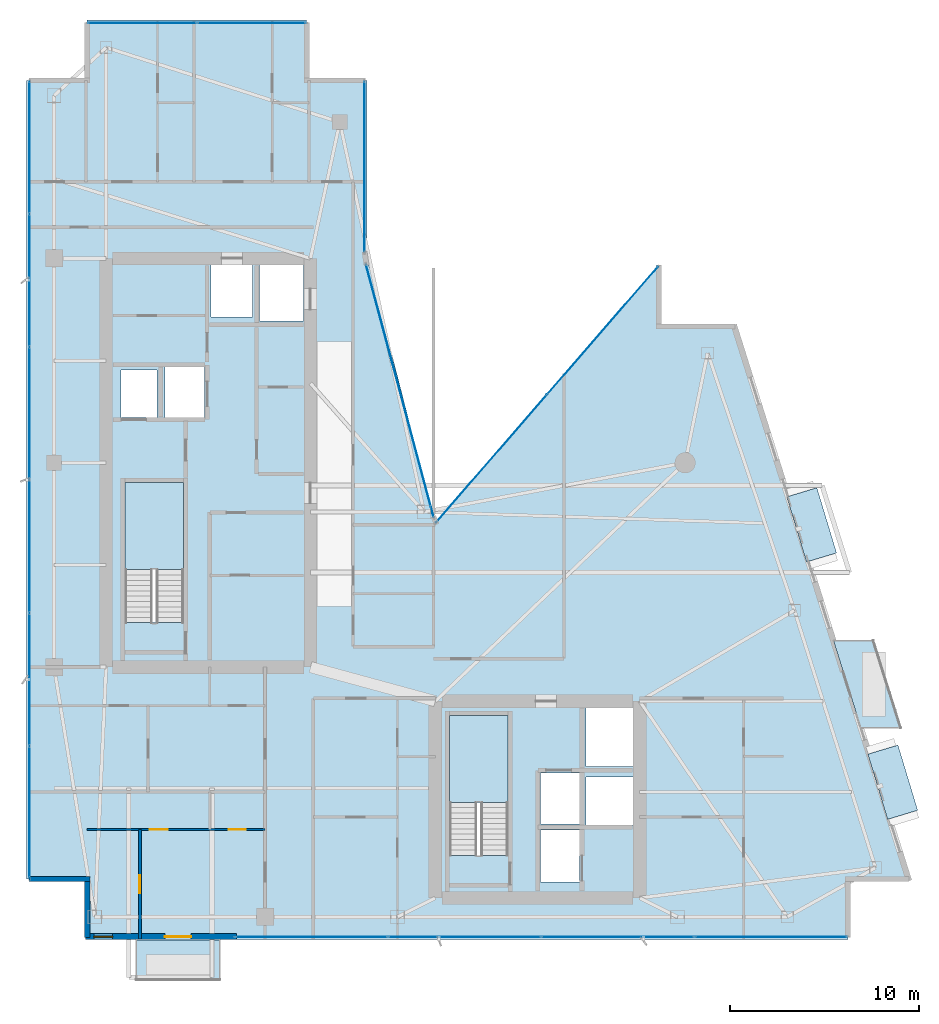
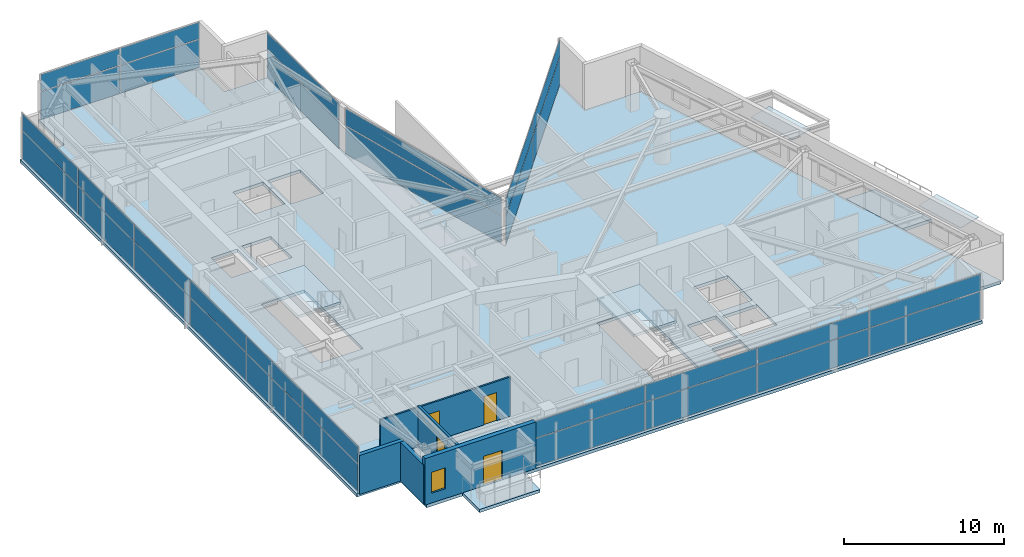
# One storey, part 23 of 29: 34 plates, 5 slabs, 5 walls, 4 doors, 1 window, 5 openings, 8 elements without a shape of their own.
"""IFC4 building model written with IfcOpenShell, lengths in metres."""

from ifc_helpers import new_model, si_unit, direction, frame, frame_2d, origin, origin_2d, place, context, subcontext, project, spatial, polyline, rectangle, outline, extrude, material, layer, layer_set, type_object, element, fill, aggregate, save


model = new_model("IFC4")

# Units and contexts
model_context = context("Model", 3, precision=1e-05, world=origin(), true_north=direction((0.0, 1.0)))
body_context = subcontext(model_context, "Body", "Model", "MODEL_VIEW")
ifc_project = project(units=[si_unit("LENGTHUNIT", "METRE"), si_unit("AREAUNIT", "SQUARE_METRE"), si_unit("VOLUMEUNIT", "CUBIC_METRE"), si_unit("PLANEANGLEUNIT", "RADIAN"), si_unit("MASSUNIT", "GRAM", prefix="KILO")], contexts=[model_context])

# Site, building, storey
site_placement = place(None, origin())
site = spatial("IfcSite", under=ifc_project, at=site_placement, CompositionType="ELEMENT")
building_placement = place(site_placement, origin())
building = spatial("IfcBuilding", under=site, at=building_placement, Name="Calvorn Quay Hotel", CompositionType="ELEMENT")
storey_placement = place(building_placement, frame((0.0, 0.0, 251.39990234375)))
storey = spatial("IfcBuildingStorey", under=building, at=storey_placement, Name="L62", CompositionType="ELEMENT", Elevation=251.39990234375)

# Curtain wall, plates
ifc_material_1 = material(Name="Champagne Bronze Anodised Aluminium and Low-E Glass", Category="aluminium")
ifc_layer_1 = layer(ifc_material_1, 0.219970703125)
ifc_layer_set_1 = layer_set([ifc_layer_1], Name="CW-SYS-Z4")
curtain_wall_type = type_object("IfcCurtainWallType", Name="CW-SYS-Z4", PredefinedType="NOTDEFINED", material=ifc_layer_set_1)
curtain_wall_1_placement = place(storey_placement, origin())
curtain_wall_1 = element("IfcCurtainWall", 1, at=curtain_wall_1_placement, inside=storey, type_object=curtain_wall_type, Name="Tower West Curtain Wall (L62)", PredefinedType="NOTDEFINED")
ifc_material_2 = material(Name="Low-E Laminated Double Glazing", Category="glass")
ifc_layer_2 = layer(ifc_material_2, 0.028076171875)
ifc_layer_set_2 = layer_set([ifc_layer_2], Name="CW-SYS-Z4-PAN")
plate_type_1 = type_object("IfcPlateType", Name="CW-SYS-Z4-PAN", PredefinedType="CURTAIN_PANEL", material=ifc_layer_set_2)
plate_1_placement = place(storey_placement, frame((0.14990234375, 9.131591796875, 0.06005859375), z_axis=(0.0, 0.0, 1.0), x_axis=(0.0, 1.0, 0.0)))
plate_1 = element("IfcPlate", 2, at=plate_1_placement, type_object=plate_type_1, Name="CW-L62-W panel 1.1", PredefinedType="CURTAIN_PANEL", context=body_context, shape_type="SweptSolid", body=[
    extrude(rectangle(XDim=6.943359375, YDim=0.028076171875, at=origin_2d()), origin(), (0.0, 0.0, 1.0), 2.110107421875),
])
plate_2_placement = place(storey_placement, frame((0.14990234375, 9.131591796875, 2.22998046875), z_axis=(0.0, 0.0, 1.0), x_axis=(0.0, 1.0, 0.0)))
plate_2 = element("IfcPlate", 3, at=plate_2_placement, type_object=plate_type_1, Name="CW-L62-W panel 1.2", PredefinedType="CURTAIN_PANEL", context=body_context, shape_type="SweptSolid", body=[
    extrude(rectangle(XDim=6.943359375, YDim=0.028076171875, at=origin_2d()), origin(), (0.0, 0.0, 1.0), 1.27001953125),
])
plate_3_placement = place(storey_placement, frame((0.14990234375, 16.14990234375, 0.06005859375), z_axis=(0.0, 0.0, 1.0), x_axis=(0.0, 1.0, 0.0)))
plate_3 = element("IfcPlate", 4, at=plate_3_placement, type_object=plate_type_1, Name="CW-L62-W panel 2.1", PredefinedType="CURTAIN_PANEL", context=body_context, shape_type="SweptSolid", body=[
    extrude(rectangle(XDim=6.973388671875, YDim=0.028076171875, at=origin_2d()), origin(), (0.0, 0.0, 1.0), 2.110107421875),
])
plate_4_placement = place(storey_placement, frame((0.14990234375, 16.14990234375, 2.22998046875), z_axis=(0.0, 0.0, 1.0), x_axis=(0.0, 1.0, 0.0)))
plate_4 = element("IfcPlate", 5, at=plate_4_placement, type_object=plate_type_1, Name="CW-L62-W panel 2.2", PredefinedType="CURTAIN_PANEL", context=body_context, shape_type="SweptSolid", body=[
    extrude(rectangle(XDim=6.973388671875, YDim=0.028076171875, at=origin_2d()), origin(), (0.0, 0.0, 1.0), 1.27001953125),
])
plate_5_placement = place(storey_placement, frame((0.14990234375, 23.183349609375, 0.06005859375), z_axis=(0.0, 0.0, 1.0), x_axis=(0.0, 1.0, 0.0)))
plate_5 = element("IfcPlate", 6, at=plate_5_placement, type_object=plate_type_1, Name="CW-L62-W panel 3.1", PredefinedType="CURTAIN_PANEL", context=body_context, shape_type="SweptSolid", body=[
    extrude(rectangle(XDim=6.973388671875, YDim=0.028076171875, at=origin_2d()), origin(), (0.0, 0.0, 1.0), 2.110107421875),
])
plate_6_placement = place(storey_placement, frame((0.14990234375, 23.183349609375, 2.22998046875), z_axis=(0.0, 0.0, 1.0), x_axis=(0.0, 1.0, 0.0)))
plate_6 = element("IfcPlate", 7, at=plate_6_placement, type_object=plate_type_1, Name="CW-L62-W panel 3.2", PredefinedType="CURTAIN_PANEL", context=body_context, shape_type="SweptSolid", body=[
    extrude(rectangle(XDim=6.973388671875, YDim=0.028076171875, at=origin_2d()), origin(), (0.0, 0.0, 1.0), 1.27001953125),
])
plate_7_placement = place(storey_placement, frame((0.14990234375, 30.216552734375, 0.06005859375), z_axis=(0.0, 0.0, 1.0), x_axis=(0.0, 1.0, 0.0)))
plate_7 = element("IfcPlate", 8, at=plate_7_placement, type_object=plate_type_1, Name="CW-L62-W panel 4.1", PredefinedType="CURTAIN_PANEL", context=body_context, shape_type="SweptSolid", body=[
    extrude(rectangle(XDim=6.973388671875, YDim=0.028076171875, at=origin_2d()), origin(), (0.0, 0.0, 1.0), 2.110107421875),
])
plate_8_placement = place(storey_placement, frame((0.14990234375, 30.216552734375, 2.22998046875), z_axis=(0.0, 0.0, 1.0), x_axis=(0.0, 1.0, 0.0)))
plate_8 = element("IfcPlate", 9, at=plate_8_placement, type_object=plate_type_1, Name="CW-L62-W panel 4.2", PredefinedType="CURTAIN_PANEL", context=body_context, shape_type="SweptSolid", body=[
    extrude(rectangle(XDim=6.973388671875, YDim=0.028076171875, at=origin_2d()), origin(), (0.0, 0.0, 1.0), 1.27001953125),
])
plate_9_placement = place(storey_placement, frame((0.14990234375, 37.25, 0.06005859375), z_axis=(0.0, 0.0, 1.0), x_axis=(0.0, 1.0, 0.0)))
plate_9 = element("IfcPlate", 10, at=plate_9_placement, type_object=plate_type_1, Name="CW-L62-W panel 5.1", PredefinedType="CURTAIN_PANEL", context=body_context, shape_type="SweptSolid", body=[
    extrude(rectangle(XDim=6.973388671875, YDim=0.028076171875, at=origin_2d()), origin(), (0.0, 0.0, 1.0), 2.110107421875),
])
plate_10_placement = place(storey_placement, frame((0.14990234375, 37.25, 2.22998046875), z_axis=(0.0, 0.0, 1.0), x_axis=(0.0, 1.0, 0.0)))
plate_10 = element("IfcPlate", 11, at=plate_10_placement, type_object=plate_type_1, Name="CW-L62-W panel 5.2", PredefinedType="CURTAIN_PANEL", context=body_context, shape_type="SweptSolid", body=[
    extrude(rectangle(XDim=6.973388671875, YDim=0.028076171875, at=origin_2d()), origin(), (0.0, 0.0, 1.0), 1.27001953125),
])
plate_11_placement = place(storey_placement, frame((0.14990234375, 44.268310546875, 0.06005859375), z_axis=(0.0, 0.0, 1.0), x_axis=(0.0, 1.0, 0.0)))
plate_11 = element("IfcPlate", 12, at=plate_11_placement, type_object=plate_type_1, Name="CW-L62-W panel 6.1", PredefinedType="CURTAIN_PANEL", context=body_context, shape_type="SweptSolid", body=[
    extrude(rectangle(XDim=6.943359375, YDim=0.028076171875, at=origin_2d()), origin(), (0.0, 0.0, 1.0), 2.110107421875),
])
plate_12_placement = place(storey_placement, frame((0.14990234375, 44.268310546875, 2.22998046875), z_axis=(0.0, 0.0, 1.0), x_axis=(0.0, 1.0, 0.0)))
plate_12 = element("IfcPlate", 13, at=plate_12_placement, type_object=plate_type_1, Name="CW-L62-W panel 6.2", PredefinedType="CURTAIN_PANEL", context=body_context, shape_type="SweptSolid", body=[
    extrude(rectangle(XDim=6.943359375, YDim=0.028076171875, at=origin_2d()), origin(), (0.0, 0.0, 1.0), 1.27001953125),
])
aggregate(curtain_wall_1, [plate_1, plate_2, plate_3, plate_4, plate_5, plate_6, plate_7, plate_8, plate_9, plate_10, plate_11, plate_12])

curtain_wall_2_placement = place(storey_placement, origin())
curtain_wall_2 = element("IfcCurtainWall", 14, at=curtain_wall_2_placement, inside=storey, type_object=curtain_wall_type, Name="Tower South Waterfront Curtain Wall (L62)", PredefinedType="NOTDEFINED")
plate_13_placement = place(storey_placement, frame((15.06494140625, 2.550048828125, 0.06005859375), z_axis=(0.0, 0.0, 1.0), x_axis=(1.0, 0.0, 0.0)))
plate_13 = element("IfcPlate", 15, at=plate_13_placement, type_object=plate_type_1, Name="CW-L62-S panel 1.1", PredefinedType="CURTAIN_PANEL", context=body_context, shape_type="SweptSolid", body=[
    extrude(rectangle(XDim=8.010009765625, YDim=0.028076171875, at=origin_2d()), origin(), (0.0, 0.0, 1.0), 2.110107421875),
])
plate_14_placement = place(storey_placement, frame((15.06494140625, 2.550048828125, 2.22998046875), z_axis=(0.0, 0.0, 1.0), x_axis=(1.0, 0.0, 0.0)))
plate_14 = element("IfcPlate", 16, at=plate_14_placement, type_object=plate_type_1, Name="CW-L62-S panel 1.2", PredefinedType="CURTAIN_PANEL", context=body_context, shape_type="SweptSolid", body=[
    extrude(rectangle(XDim=8.010009765625, YDim=0.028076171875, at=origin_2d()), origin(), (0.0, 0.0, 1.0), 1.27001953125),
])
plate_15_placement = place(storey_placement, frame((23.14990234375, 2.550048828125, 0.06005859375), z_axis=(0.0, 0.0, 1.0), x_axis=(1.0, 0.0, 0.0)))
plate_15 = element("IfcPlate", 17, at=plate_15_placement, type_object=plate_type_1, Name="CW-L62-S panel 2.1", PredefinedType="CURTAIN_PANEL", context=body_context, shape_type="SweptSolid", body=[
    extrude(rectangle(XDim=8.0400390625, YDim=0.028076171875, at=origin_2d()), origin(), (0.0, 0.0, 1.0), 2.110107421875),
])
plate_16_placement = place(storey_placement, frame((23.14990234375, 2.550048828125, 2.22998046875), z_axis=(0.0, 0.0, 1.0), x_axis=(1.0, 0.0, 0.0)))
plate_16 = element("IfcPlate", 18, at=plate_16_placement, type_object=plate_type_1, Name="CW-L62-S panel 2.2", PredefinedType="CURTAIN_PANEL", context=body_context, shape_type="SweptSolid", body=[
    extrude(rectangle(XDim=8.0400390625, YDim=0.028076171875, at=origin_2d()), origin(), (0.0, 0.0, 1.0), 1.27001953125),
])
plate_17_placement = place(storey_placement, frame((31.25, 2.550048828125, 0.06005859375), z_axis=(0.0, 0.0, 1.0), x_axis=(1.0, 0.0, 0.0)))
plate_17 = element("IfcPlate", 19, at=plate_17_placement, type_object=plate_type_1, Name="CW-L62-S panel 3.1", PredefinedType="CURTAIN_PANEL", context=body_context, shape_type="SweptSolid", body=[
    extrude(rectangle(XDim=8.0400390625, YDim=0.028076171875, at=origin_2d()), origin(), (0.0, 0.0, 1.0), 2.110107421875),
])
plate_18_placement = place(storey_placement, frame((31.25, 2.550048828125, 2.22998046875), z_axis=(0.0, 0.0, 1.0), x_axis=(1.0, 0.0, 0.0)))
plate_18 = element("IfcPlate", 20, at=plate_18_placement, type_object=plate_type_1, Name="CW-L62-S panel 3.2", PredefinedType="CURTAIN_PANEL", context=body_context, shape_type="SweptSolid", body=[
    extrude(rectangle(XDim=8.0400390625, YDim=0.028076171875, at=origin_2d()), origin(), (0.0, 0.0, 1.0), 1.27001953125),
])
plate_19_placement = place(storey_placement, frame((39.3349609375, 2.550048828125, 0.06005859375), z_axis=(0.0, 0.0, 1.0), x_axis=(1.0, 0.0, 0.0)))
plate_19 = element("IfcPlate", 21, at=plate_19_placement, type_object=plate_type_1, Name="CW-L62-S panel 4.1", PredefinedType="CURTAIN_PANEL", context=body_context, shape_type="SweptSolid", body=[
    extrude(rectangle(XDim=8.010009765625, YDim=0.028076171875, at=origin_2d()), origin(), (0.0, 0.0, 1.0), 2.110107421875),
])
plate_20_placement = place(storey_placement, frame((39.3349609375, 2.550048828125, 2.22998046875), z_axis=(0.0, 0.0, 1.0), x_axis=(1.0, 0.0, 0.0)))
plate_20 = element("IfcPlate", 22, at=plate_20_placement, type_object=plate_type_1, Name="CW-L62-S panel 4.2", PredefinedType="CURTAIN_PANEL", context=body_context, shape_type="SweptSolid", body=[
    extrude(rectangle(XDim=8.010009765625, YDim=0.028076171875, at=origin_2d()), origin(), (0.0, 0.0, 1.0), 1.27001953125),
])
aggregate(curtain_wall_2, [plate_13, plate_14, plate_15, plate_16, plate_17, plate_18, plate_19, plate_20])

curtain_wall_3_placement = place(storey_placement, origin())
curtain_wall_3 = element("IfcCurtainWall", 23, at=curtain_wall_3_placement, inside=storey, type_object=curtain_wall_type, Name="Inner Court Curtain Wall L62-NE1", PredefinedType="NOTDEFINED")
plate_21_placement = place(storey_placement, frame((30.440185546875, 34.588623046875, 0.06005859375), z_axis=(0.0, 0.0, 1.0), x_axis=(-0.655353317216, -0.755322467304, 0.0)))
plate_21 = element("IfcPlate", 24, at=plate_21_placement, type_object=plate_type_1, Name="CW-L62-NE1 panel 1.1", PredefinedType="CURTAIN_PANEL", context=body_context, shape_type="SweptSolid", body=[
    extrude(rectangle(XDim=8.912841796875, YDim=0.028076171875, at=origin_2d()), origin(), (0.0, 0.0, 1.0), 2.110107421875),
])
plate_22_placement = place(storey_placement, frame((30.440185546875, 34.588623046875, 2.22998046875), z_axis=(0.0, 0.0, 1.0), x_axis=(-0.655353317216, -0.755322467304, 0.0)))
plate_22 = element("IfcPlate", 25, at=plate_22_placement, type_object=plate_type_1, Name="CW-L62-NE1 panel 1.2", PredefinedType="CURTAIN_PANEL", context=body_context, shape_type="SweptSolid", body=[
    extrude(rectangle(XDim=8.912841796875, YDim=0.028076171875, at=origin_2d()), origin(), (0.0, 0.0, 1.0), 1.27001953125),
])
plate_23_placement = place(storey_placement, frame((24.559814453125, 27.811279296875, 0.06005859375), z_axis=(0.0, 0.0, 1.0), x_axis=(-0.655353317216, -0.755322467304, 0.0)))
plate_23 = element("IfcPlate", 26, at=plate_23_placement, type_object=plate_type_1, Name="CW-L62-NE1 panel 2.1", PredefinedType="CURTAIN_PANEL", context=body_context, shape_type="SweptSolid", body=[
    extrude(rectangle(XDim=8.912841796875, YDim=0.028076171875, at=origin_2d()), origin(), (0.0, 0.0, 1.0), 2.110107421875),
])
plate_24_placement = place(storey_placement, frame((24.559814453125, 27.811279296875, 2.22998046875), z_axis=(0.0, 0.0, 1.0), x_axis=(-0.655353317216, -0.755322467304, 0.0)))
plate_24 = element("IfcPlate", 27, at=plate_24_placement, type_object=plate_type_1, Name="CW-L62-NE1 panel 2.2", PredefinedType="CURTAIN_PANEL", context=body_context, shape_type="SweptSolid", body=[
    extrude(rectangle(XDim=8.912841796875, YDim=0.028076171875, at=origin_2d()), origin(), (0.0, 0.0, 1.0), 1.27001953125),
])
aggregate(curtain_wall_3, [plate_21, plate_22, plate_23, plate_24])

curtain_wall_4_placement = place(storey_placement, origin())
curtain_wall_4 = element("IfcCurtainWall", 28, at=curtain_wall_4_placement, inside=storey, type_object=curtain_wall_type, Name="Inner Court Curtain Wall L62-IC1", PredefinedType="NOTDEFINED")
plate_25_placement = place(storey_placement, frame((19.72509765625, 31.39990234375, 0.06005859375), z_axis=(0.0, 0.0, 1.0), x_axis=(-0.25877913024, 0.96593652056, 0.0)))
plate_25 = element("IfcPlate", 29, at=plate_25_placement, type_object=plate_type_1, Name="CW-L62-IC1 panel 1.1", PredefinedType="CURTAIN_PANEL", context=body_context, shape_type="SweptSolid", body=[
    extrude(rectangle(XDim=13.814697265625, YDim=0.028076171875, at=origin_2d()), origin(), (0.0, 0.0, 1.0), 2.110107421875),
])
plate_26_placement = place(storey_placement, frame((19.72509765625, 31.39990234375, 2.22998046875), z_axis=(0.0, 0.0, 1.0), x_axis=(-0.25877913024, 0.96593652056, 0.0)))
plate_26 = element("IfcPlate", 30, at=plate_26_placement, type_object=plate_type_1, Name="CW-L62-IC1 panel 1.2", PredefinedType="CURTAIN_PANEL", context=body_context, shape_type="SweptSolid", body=[
    extrude(rectangle(XDim=13.814697265625, YDim=0.028076171875, at=origin_2d()), origin(), (0.0, 0.0, 1.0), 1.27001953125),
])
aggregate(curtain_wall_4, [plate_25, plate_26])

curtain_wall_5_placement = place(storey_placement, origin())
curtain_wall_5 = element("IfcCurtainWall", 31, at=curtain_wall_5_placement, inside=storey, type_object=curtain_wall_type, Name="Inner Court Curtain Wall L62-IC2", PredefinedType="NOTDEFINED")
plate_27_placement = place(storey_placement, frame((17.85009765625, 43.239990234375, 0.06005859375), z_axis=(0.0, 0.0, 1.0), x_axis=(0.0, 1.0, 0.0)))
plate_27 = element("IfcPlate", 32, at=plate_27_placement, type_object=plate_type_1, Name="CW-L62-IC2 panel 1.1", PredefinedType="CURTAIN_PANEL", context=body_context, shape_type="SweptSolid", body=[
    extrude(rectangle(XDim=9.0, YDim=0.028076171875, at=origin_2d()), origin(), (0.0, 0.0, 1.0), 2.110107421875),
])
plate_28_placement = place(storey_placement, frame((17.85009765625, 43.239990234375, 2.22998046875), z_axis=(0.0, 0.0, 1.0), x_axis=(0.0, 1.0, 0.0)))
plate_28 = element("IfcPlate", 33, at=plate_28_placement, type_object=plate_type_1, Name="CW-L62-IC2 panel 1.2", PredefinedType="CURTAIN_PANEL", context=body_context, shape_type="SweptSolid", body=[
    extrude(rectangle(XDim=9.0, YDim=0.028076171875, at=origin_2d()), origin(), (0.0, 0.0, 1.0), 1.27001953125),
])
aggregate(curtain_wall_5, [plate_27, plate_28])

curtain_wall_6_placement = place(storey_placement, origin())
curtain_wall_6 = element("IfcCurtainWall", 34, at=curtain_wall_6_placement, inside=storey, type_object=curtain_wall_type, Name="Inner Court Curtain Wall L62-N1", PredefinedType="NOTDEFINED")
plate_29_placement = place(storey_placement, frame((11.885009765625, 50.85009765625, 0.06005859375), z_axis=(0.0, 0.0, 1.0), x_axis=(-1.0, 0.0, 0.0)))
plate_29 = element("IfcPlate", 35, at=plate_29_placement, type_object=plate_type_1, Name="CW-L62-N1 panel 1.1", PredefinedType="CURTAIN_PANEL", context=body_context, shape_type="SweptSolid", body=[
    extrude(rectangle(XDim=5.7099609375, YDim=0.028076171875, at=origin_2d()), origin(), (0.0, 0.0, 1.0), 2.110107421875),
])
plate_30_placement = place(storey_placement, frame((11.885009765625, 50.85009765625, 2.22998046875), z_axis=(0.0, 0.0, 1.0), x_axis=(-1.0, 0.0, 0.0)))
plate_30 = element("IfcPlate", 36, at=plate_30_placement, type_object=plate_type_1, Name="CW-L62-N1 panel 1.2", PredefinedType="CURTAIN_PANEL", context=body_context, shape_type="SweptSolid", body=[
    extrude(rectangle(XDim=5.7099609375, YDim=0.028076171875, at=origin_2d()), origin(), (0.0, 0.0, 1.0), 1.27001953125),
])
plate_31_placement = place(storey_placement, frame((6.114990234375, 50.85009765625, 0.06005859375), z_axis=(0.0, 0.0, 1.0), x_axis=(-1.0, 0.0, 0.0)))
plate_31 = element("IfcPlate", 37, at=plate_31_placement, type_object=plate_type_1, Name="CW-L62-N1 panel 2.1", PredefinedType="CURTAIN_PANEL", context=body_context, shape_type="SweptSolid", body=[
    extrude(rectangle(XDim=5.7099609375, YDim=0.028076171875, at=origin_2d()), origin(), (0.0, 0.0, 1.0), 2.110107421875),
])
plate_32_placement = place(storey_placement, frame((6.114990234375, 50.85009765625, 2.22998046875), z_axis=(0.0, 0.0, 1.0), x_axis=(-1.0, 0.0, 0.0)))
plate_32 = element("IfcPlate", 38, at=plate_32_placement, type_object=plate_type_1, Name="CW-L62-N1 panel 2.2", PredefinedType="CURTAIN_PANEL", context=body_context, shape_type="SweptSolid", body=[
    extrude(rectangle(XDim=5.7099609375, YDim=0.028076171875, at=origin_2d()), origin(), (0.0, 0.0, 1.0), 1.27001953125),
])
aggregate(curtain_wall_6, [plate_29, plate_30, plate_31, plate_32])

# Plates
ifc_material_3 = material(Name="Tempered Laminated Low-E Glass", Category="glass")
ifc_layer_3 = layer(ifc_material_3, 0.0380859375)
ifc_layer_set_3 = layer_set([ifc_layer_3], Name="PLT-HOOD-GLAZ")
plate_type_2 = type_object("IfcPlateType", Name="PLT-HOOD-GLAZ", PredefinedType="SHEET", material=ifc_layer_set_3)
for number, where, z_axis, x_axis, name in (
    (39, (45.77490234375, 10.718017578125, 2.467041015625), (0.0, 0.0, 1.0), (0.957319497532, 0.289031796944, 0.0), "Angled Glass Bay Hood Panel L62-HOOD-1"),
    (40, (41.489013671875, 24.318115234375, 2.467041015625), (0.0, 0.0, 1.0), (0.957319497532, 0.289031796944, 0.0), "Angled Glass Bay Hood Panel L62-HOOD-3"),
):
    element("IfcPlate", number, at=place(storey_placement, frame(where, z_axis=z_axis, x_axis=x_axis)), inside=storey, type_object=plate_type_2, Name=name, PredefinedType="SHEET", context=body_context, shape_type="SweptSolid", body=[
        extrude(rectangle(XDim=1.659912109375, YDim=3.60009765625, at=origin_2d()), origin(), (0.0, 0.0, 1.0), 0.0380859375),
    ])

# Slabs
ifc_material_4 = material(Name="Concrete C40", Category="concrete")
ifc_layer_4 = layer(ifc_material_4, 0.239990234375)
ifc_layer_set_4 = layer_set([ifc_layer_4], Name="SLB-BALCONY-220")
slab_type_1 = type_object("IfcSlabType", Name="SLB-BALCONY-220", PredefinedType="FLOOR", material=ifc_layer_set_4)
slab_1_placement = place(storey_placement, frame((0.0, 0.0, -0.239990234375)))
element("IfcSlab", 41, at=slab_1_placement, inside=storey, type_object=slab_type_1, Name="Tree Balcony Slab L62-BALC-E", PredefinedType="FLOOR", context=body_context, shape_type="SweptSolid", body=[
    extrude(outline(polyline([(44.089111328125, 13.60009765625), (46.18896484375, 13.60009765625), (44.739990234375, 18.199951171875), (42.639892578125, 18.199951171875), (44.089111328125, 13.60009765625)])), origin(), (0.0, 0.0, 1.0), 0.239990234375),
])
slab_2_placement = place(storey_placement, frame((0.0, 0.0, -0.239990234375)))
element("IfcSlab", 42, at=slab_2_placement, inside=storey, type_object=slab_type_1, Name="Tree Balcony Slab L62-BALC-S", PredefinedType="FLOOR", context=body_context, shape_type="SweptSolid", body=[
    extrude(outline(polyline([(5.800048828125, 0.2900390625), (10.199951171875, 0.2900390625), (10.199951171875, 2.389892578125), (5.800048828125, 2.389892578125), (5.800048828125, 0.2900390625)])), origin(), (0.0, 0.0, 1.0), 0.239990234375),
])

# Stair, slab
ifc_material_5 = material(Name="Concrete C40", Category="concrete")
stair_type = type_object("IfcStairType", Name="STR-CORE-DOGLEG", PredefinedType="HALF_TURN_STAIR", material=ifc_material_5)
stair_1_placement = place(storey_placement, origin())
stair_1 = element("IfcStair", 43, at=stair_1_placement, inside=storey, type_object=stair_type, Name="L62 ST-W", PredefinedType="HALF_TURN_STAIR")
ifc_material_6 = material(Name="Concrete C40", Category="concrete")
ifc_layer_5 = layer(ifc_material_6, 0.199951171875)
ifc_layer_set_5 = layer_set([ifc_layer_5], Name="SLB-STAIR-LANDING-200")
slab_type_2 = type_object("IfcSlabType", Name="SLB-STAIR-LANDING-200", PredefinedType="LANDING", material=ifc_layer_set_5)
slab_3_placement = place(storey_placement, frame((0.0, 0.0, 1.7001953125)))
slab_3 = element("IfcSlab", 44, at=slab_3_placement, type_object=slab_type_2, Name="ST-W landing 1", PredefinedType="LANDING", context=body_context, shape_type="SweptSolid", body=[
    extrude(outline(polyline([(8.300048828125, 21.949951171875), (8.300048828125, 26.550048828125), (5.199951171875, 26.550048828125), (5.199951171875, 21.949951171875), (8.300048828125, 21.949951171875)])), origin(), (0.0, 0.0, 1.0), 0.199951171875),
])
aggregate(stair_1, [slab_3])

stair_2_placement = place(storey_placement, origin())
stair_2 = element("IfcStair", 45, at=stair_2_placement, inside=storey, type_object=stair_type, Name="L62 ST-E", PredefinedType="HALF_TURN_STAIR")
slab_4_placement = place(storey_placement, frame((0.0, 0.0, 1.7001953125)))
slab_4 = element("IfcSlab", 46, at=slab_4_placement, type_object=slab_type_2, Name="ST-E landing 1", PredefinedType="LANDING", context=body_context, shape_type="SweptSolid", body=[
    extrude(outline(polyline([(25.449951171875, 9.64990234375), (25.449951171875, 14.25), (22.35009765625, 14.25), (22.35009765625, 9.64990234375), (25.449951171875, 9.64990234375)])), origin(), (0.0, 0.0, 1.0), 0.199951171875),
])
aggregate(stair_2, [slab_4])

# Slab
ifc_material_7 = material(Name="Concrete C40", Category="concrete")
ifc_layer_6 = layer(ifc_material_7, 0.239990234375)
ifc_layer_set_6 = layer_set([ifc_layer_6], Name="SLB-TOWER-240")
slab_type_3 = type_object("IfcSlabType", Name="SLB-TOWER-240", PredefinedType="FLOOR", material=ifc_layer_set_6)
slab_5_placement = place(storey_placement, frame((0.0, 0.0, -0.239990234375)))
element("IfcSlab", 47, at=slab_5_placement, inside=storey, type_object=slab_type_3, Name="L62 Structural Floor Slab", PredefinedType="FLOOR", context=body_context, shape_type="SweptSolid", body=[
    extrude(outline(polyline([(0.0, 5.60009765625), (3.199951171875, 5.60009765625), (3.199951171875, 2.39990234375), (43.39990234375, 2.39990234375), (43.39990234375, 5.60009765625), (46.60009765625, 5.60009765625), (37.39990234375, 34.800048828125), (33.39990234375, 34.800048828125), (33.39990234375, 38.0), (21.60009765625, 24.39990234375), (18.0, 38.39990234375), (18.0, 47.800048828125), (14.800048828125, 47.800048828125), (14.800048828125, 51.0), (3.199951171875, 51.0), (3.199951171875, 47.800048828125), (0.0, 47.800048828125), (0.0, 5.60009765625)]), holes=[polyline([(5.199951171875, 19.156005859375), (8.300048828125, 19.156005859375), (8.300048828125, 26.550048828125), (5.199951171875, 26.550048828125), (5.199951171875, 19.156005859375)]), polyline([(22.35009765625, 6.85595703125), (25.449951171875, 6.85595703125), (25.449951171875, 14.25), (22.35009765625, 14.25), (22.35009765625, 6.85595703125)]), polyline([(5.0, 30.0), (6.89990234375, 30.0), (6.89990234375, 32.5), (5.0, 32.5), (5.0, 30.0)]), polyline([(7.300048828125, 30.0), (9.39990234375, 30.0), (9.39990234375, 32.64990234375), (7.300048828125, 32.64990234375), (7.300048828125, 30.0)]), polyline([(27.159912109375, 8.5), (29.2099609375, 8.5), (29.2099609375, 11.199951171875), (27.159912109375, 11.199951171875), (27.159912109375, 8.5)]), polyline([(27.159912109375, 5.449951171875), (29.2099609375, 5.449951171875), (29.2099609375, 8.199951171875), (27.159912109375, 8.199951171875), (27.159912109375, 5.449951171875)]), polyline([(12.300048828125, 35.10009765625), (14.639892578125, 35.10009765625), (14.639892578125, 38.0400390625), (12.300048828125, 38.0400390625), (12.300048828125, 35.10009765625)]), polyline([(9.75, 35.300048828125), (11.949951171875, 35.300048828125), (11.949951171875, 38.0400390625), (9.75, 38.0400390625), (9.75, 35.300048828125)]), polyline([(29.550048828125, 11.550048828125), (32.0400390625, 11.550048828125), (32.0400390625, 14.639892578125), (29.550048828125, 14.639892578125), (29.550048828125, 11.550048828125)]), polyline([(29.550048828125, 8.449951171875), (32.0400390625, 8.449951171875), (32.0400390625, 11.0), (29.550048828125, 11.0), (29.550048828125, 8.449951171875)])]), origin(), (0.0, 0.0, 1.0), 0.239990234375),
])

# Wall, openings, doors
ifc_material_8 = material(Name="Moisture-Resistant Tile-Backed Partition")
ifc_layer_7 = layer(ifc_material_8, 0.125)
ifc_layer_set_7 = layer_set([ifc_layer_7], Name="WL-ENSUITE-125")
wall_type_1 = type_object("IfcWallType", Name="WL-ENSUITE-125", PredefinedType="PARTITIONING", material=ifc_layer_set_7)
wall_1_placement = place(storey_placement, frame((3.199951171875, 8.219970703125, 0.0), z_axis=(0.0, 0.0, 1.0), x_axis=(1.0, 0.0, 0.0)))
wall_1 = element("IfcWall", 48, at=wall_1_placement, inside=storey, type_object=wall_type_1, Name="Partition Wall L62-WL-U01-BH", PredefinedType="PARTITIONING", context=body_context, shape_type="SweptSolid", body=[
    extrude(rectangle(XDim=9.400146484375, YDim=0.125, at=frame_2d((4.7001953125, 0.0))), origin(), (0.0, 0.0, 1.0), 2.989990234375),
])
opening_1_placement = place(wall_1_placement, frame((3.300048828125, 0.0, 0.0)))
opening_1 = element("IfcOpeningElement", 49, at=opening_1_placement, cuts=wall_1, Name="Opening D-L62-S01", PredefinedType="OPENING", context=body_context, shape_type="SweptSolid", body=[
    extrude(rectangle(XDim=0.9599609375, YDim=2.199951171875, at=frame_2d((0.47998046875, 1.10009765625))), frame((0.0, 0.072509765625, 0.0), z_axis=(0.0, -1.0, 0.0), x_axis=(1.0, 0.0, 0.0)), (0.0, 0.0, 1.0), 0.14501953125),
])
opening_2_placement = place(wall_1_placement, frame((7.489990234375, 0.0, 0.0)))
opening_2 = element("IfcOpeningElement", 50, at=opening_2_placement, cuts=wall_1, Name="Opening D-L62-E01", PredefinedType="OPENING", context=body_context, shape_type="SweptSolid", body=[
    extrude(rectangle(XDim=0.89990234375, YDim=2.14990234375, at=frame_2d((0.449951171875, 1.074951171875))), frame((0.0, 0.072509765625, 0.0), z_axis=(0.0, -1.0, 0.0), x_axis=(1.0, 0.0, 0.0)), (0.0, 0.0, 1.0), 0.14501953125),
])
ifc_material_9 = material(Name="Moisture-Sealed Timber En-Suite Door", Category="wood")
door_type_1 = type_object("IfcDoorType", Name="DR-ENSUITE-900", OperationType="NOTDEFINED", PredefinedType="DOOR", material=ifc_material_9)
door_1_placement = place(opening_2_placement, origin())
door_1 = element("IfcDoor", 51, at=door_1_placement, inside=storey, type_object=door_type_1, Name="En-Suite Door 01", OperationType="SINGLE_SWING_RIGHT", OverallHeight=2.14990234375, OverallWidth=0.89990234375, PredefinedType="DOOR", context=body_context, shape_type="SweptSolid", body=[
    extrude(rectangle(XDim=0.89990234375, YDim=2.14990234375, at=frame_2d((0.449951171875, 1.074951171875))), frame((0.0, 0.02490234375, 0.0), z_axis=(0.0, -1.0, 0.0), x_axis=(1.0, 0.0, 0.0)), (0.0, 0.0, 1.0), 0.050048828125),
])
fill(opening_2, door_1)
ifc_material_10 = material(Name="Solid Timber Internal Suite Door", Category="wood")
door_type_2 = type_object("IfcDoorType", Name="DR-SUITE-INT-960", OperationType="NOTDEFINED", PredefinedType="DOOR", material=ifc_material_10)
door_2_placement = place(opening_1_placement, origin())
door_2 = element("IfcDoor", 52, at=door_2_placement, inside=storey, type_object=door_type_2, Name="Curated Resort Boutique Door 01", OperationType="SINGLE_SWING_LEFT", OverallHeight=2.199951171875, OverallWidth=0.9599609375, PredefinedType="DOOR", context=body_context, shape_type="SweptSolid", body=[
    extrude(rectangle(XDim=0.9599609375, YDim=2.199951171875, at=frame_2d((0.47998046875, 1.10009765625))), frame((0.0, 0.02490234375, 0.0), z_axis=(0.0, -1.0, 0.0), x_axis=(1.0, 0.0, 0.0)), (0.0, 0.0, 1.0), 0.050048828125),
])
fill(opening_1, door_2)

# Wall, openings, door, window
ifc_material_11 = material(Name="Concrete C40", Category="concrete")
ifc_layer_8 = layer(ifc_material_11, 0.320068359375)
ifc_layer_set_8 = layer_set([ifc_layer_8], Name="WL-EXT-SPANDREL-320")
wall_type_2 = type_object("IfcWallType", Name="WL-EXT-SPANDREL-320", PredefinedType="SOLIDWALL", material=ifc_layer_set_8)
wall_2_placement = place(storey_placement, frame((3.10009765625, 2.56005859375, 0.0), z_axis=(0.0, 0.0, 1.0), x_axis=(1.0, 0.0, 0.0)))
wall_2 = element("IfcWall", 53, at=wall_2_placement, inside=storey, type_object=wall_type_2, Name="South Balcony Exterior Wall (L62)", PredefinedType="SOLIDWALL", context=body_context, shape_type="SweptSolid", body=[
    extrude(rectangle(XDim=8.0, YDim=0.320068359375, at=frame_2d((4.0, 0.0))), origin(), (0.0, 0.0, 1.0), 3.56005859375),
])
opening_3_placement = place(wall_2_placement, frame((0.449951171875, 0.0, 0.75)))
opening_3 = element("IfcOpeningElement", 54, at=opening_3_placement, cuts=wall_2, Name="Opening WSB-L62-1", PredefinedType="OPENING", context=body_context, shape_type="SweptSolid", body=[
    extrude(rectangle(XDim=1.0, YDim=1.60009765625, at=frame_2d((0.5, 0.800048828125))), frame((0.0, 0.169921875, 0.0), z_axis=(0.0, -1.0, 0.0), x_axis=(1.0, 0.0, 0.0)), (0.0, 0.0, 1.0), 0.340087890625),
])
opening_4_placement = place(wall_2_placement, frame((4.199951171875, 0.0, 0.0)))
opening_4 = element("IfcOpeningElement", 55, at=opening_4_placement, cuts=wall_2, Name="Opening DB-L62-2", PredefinedType="OPENING", context=body_context, shape_type="SweptSolid", body=[
    extrude(rectangle(XDim=1.39990234375, YDim=2.25, at=frame_2d((0.699951171875, 1.125))), frame((0.0, 0.169921875, 0.0), z_axis=(0.0, -1.0, 0.0), x_axis=(1.0, 0.0, 0.0)), (0.0, 0.0, 1.0), 0.340087890625),
])
ifc_material_12 = material(Name="Typhoon-Rated Low-E Aluminium Terrace Door", Category="aluminium")
door_type_3 = type_object("IfcDoorType", Name="DR-BALCONY-GLZ-1400", OperationType="NOTDEFINED", PredefinedType="DOOR", material=ifc_material_12)
door_3_placement = place(opening_4_placement, origin())
door_3 = element("IfcDoor", 56, at=door_3_placement, inside=storey, type_object=door_type_3, Name="Tree Balcony Terrace Door L62-BALC-S", OperationType="SINGLE_SWING_LEFT", OverallHeight=2.25, OverallWidth=1.39990234375, PredefinedType="DOOR", context=body_context, shape_type="SweptSolid", body=[
    extrude(rectangle(XDim=1.39990234375, YDim=2.25, at=frame_2d((0.699951171875, 1.125))), frame((0.0, 0.02490234375, 0.0), z_axis=(0.0, -1.0, 0.0), x_axis=(1.0, 0.0, 0.0)), (0.0, 0.0, 1.0), 0.050048828125),
])
fill(opening_4, door_3)
ifc_material_13 = material(Name="Self-Closing Class B Side Fire Window")
window_type = type_object("IfcWindowType", Name="WIN-REFUGE-NARROW-1000x1600", PartitioningType="SINGLE_PANEL", PredefinedType="WINDOW", material=ifc_material_13)
window_placement = place(opening_3_placement, origin())
window = element("IfcWindow", 57, at=window_placement, inside=storey, type_object=window_type, Name="South Waterfront Side Window (L62)", OverallHeight=1.60009765625, OverallWidth=1.0, PartitioningType="SINGLE_PANEL", PredefinedType="WINDOW", context=body_context, shape_type="SweptSolid", body=[
    extrude(rectangle(XDim=1.0, YDim=1.60009765625, at=frame_2d((0.5, 0.800048828125))), frame((0.0, 0.030029296875, 0.0), z_axis=(0.0, -1.0, 0.0), x_axis=(1.0, 0.0, 0.0)), (0.0, 0.0, 1.0), 0.06005859375),
])
fill(opening_3, window)

# Walls
wall_3_placement = place(storey_placement, frame((0.1201171875, 5.60009765625, 0.0), z_axis=(0.0, 0.0, 1.0), x_axis=(1.0, 0.0, 0.0)))
element("IfcWall", 58, at=wall_3_placement, inside=storey, type_object=wall_type_2, Name="Notched Corner Spandrel L62-SW1", PredefinedType="SOLIDWALL", context=body_context, shape_type="SweptSolid", body=[
    extrude(rectangle(XDim=3.219970703125, YDim=0.280029296875, at=frame_2d((1.60986328125, 0.0))), origin(), (0.0, 0.0, 1.0), 2.989990234375),
])
wall_4_placement = place(storey_placement, frame((3.199951171875, 5.4599609375, 0.0), z_axis=(0.0, 0.0, 1.0), x_axis=(0.0, -1.0, 0.0)))
element("IfcWall", 59, at=wall_4_placement, inside=storey, type_object=wall_type_2, Name="Notched Corner Spandrel L62-SW2", PredefinedType="SOLIDWALL", context=body_context, shape_type="SweptSolid", body=[
    extrude(rectangle(XDim=2.93994140625, YDim=0.280029296875, at=frame_2d((1.469970703125, 0.0))), origin(), (0.0, 0.0, 1.0), 2.989990234375),
])

# Wall, opening, door
ifc_material_14 = material(Name="Double-Stud Acoustic Gypsum Partition")
ifc_layer_9 = layer(ifc_material_14, 0.159912109375)
ifc_layer_set_9 = layer_set([ifc_layer_9], Name="WL-INTERSUITE-160")
wall_type_3 = type_object("IfcWallType", Name="WL-INTERSUITE-160", PredefinedType="PARTITIONING", material=ifc_layer_set_9)
wall_5_placement = place(storey_placement, frame((5.97998046875, 2.43994140625, 0.0), z_axis=(0.0, 0.0, 1.0), x_axis=(0.0, 1.0, 0.0)))
wall_5 = element("IfcWall", 60, at=wall_5_placement, inside=storey, type_object=wall_type_3, Name="Partition Wall L62-WL-U01-MSP", PredefinedType="PARTITIONING", context=body_context, shape_type="SweptSolid", body=[
    extrude(rectangle(XDim=5.780029296875, YDim=0.159912109375, at=frame_2d((2.89013671875, 0.0))), origin(), (0.0, 0.0, 1.0), 3.090087890625),
])
opening_5_placement = place(wall_5_placement, frame((2.409912109375, 0.0, 0.0)))
opening_5 = element("IfcOpeningElement", 61, at=opening_5_placement, cuts=wall_5, Name="Opening D-L62-M01", PredefinedType="OPENING", context=body_context, shape_type="SweptSolid", body=[
    extrude(rectangle(XDim=0.9599609375, YDim=2.199951171875, at=frame_2d((0.47998046875, 1.10009765625))), frame((0.0, 0.08984375, 0.0), z_axis=(0.0, -1.0, 0.0), x_axis=(1.0, 0.0, 0.0)), (0.0, 0.0, 1.0), 0.179931640625),
])
door_4_placement = place(opening_5_placement, origin())
door_4 = element("IfcDoor", 62, at=door_4_placement, inside=storey, type_object=door_type_2, Name="Suite Bedroom Door 01", OperationType="SINGLE_SWING_LEFT", OverallHeight=2.199951171875, OverallWidth=0.9599609375, PredefinedType="DOOR", context=body_context, shape_type="SweptSolid", body=[
    extrude(rectangle(XDim=0.9599609375, YDim=2.199951171875, at=frame_2d((0.47998046875, 1.10009765625))), frame((0.0, 0.02490234375, 0.0), z_axis=(0.0, -1.0, 0.0), x_axis=(1.0, 0.0, 0.0)), (0.0, 0.0, 1.0), 0.050048828125),
])
fill(opening_5, door_4)

save(model, "model.ifc")
